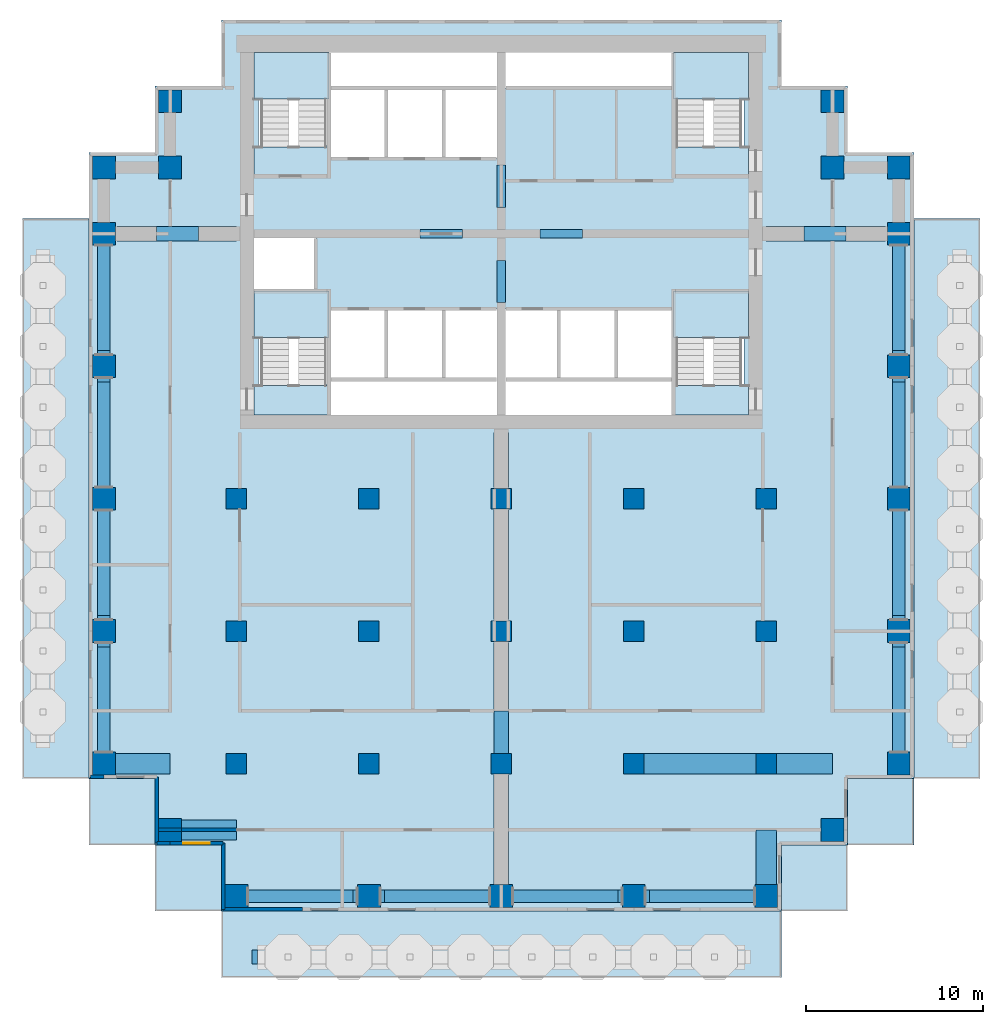
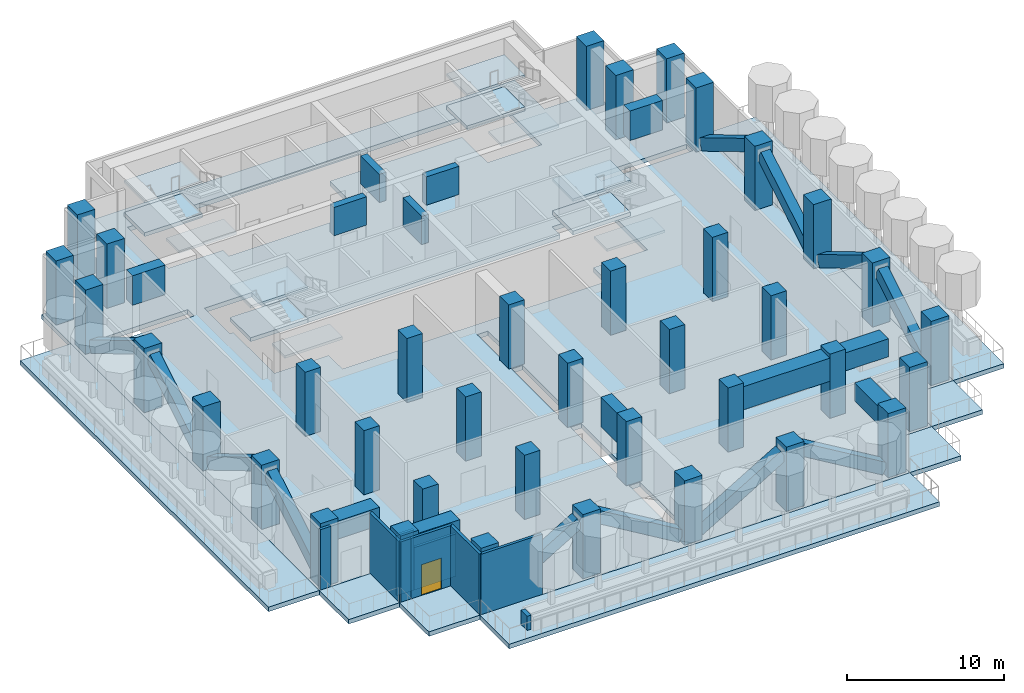
# One storey, part 1 of 9: 38 columns, 20 slabs, 12 beams, 12 members, 9 walls, 1 door, 1 opening, 4 elements without a shape of their own.
"""IFC4 building model written with IfcOpenShell, lengths in metres."""

from ifc_helpers import new_model, si_unit, direction, frame, frame_2d, origin, origin_2d, place, context, subcontext, project, spatial, polyline, rectangle, outline, extrude, material, layer, layer_set, material_profile, profile_set, type_object, element, fill, aggregate, save


model = new_model("IFC4")

# Units and contexts
model_context = context("Model", 3, precision=1e-05, world=origin(), true_north=direction((0.0, 1.0)))
body_context = subcontext(model_context, "Body", "Model", "MODEL_VIEW")
ifc_project = project(units=[si_unit("LENGTHUNIT", "METRE"), si_unit("AREAUNIT", "SQUARE_METRE"), si_unit("VOLUMEUNIT", "CUBIC_METRE"), si_unit("PLANEANGLEUNIT", "RADIAN"), si_unit("MASSUNIT", "GRAM", prefix="KILO")], contexts=[model_context])

# Site, building, storey
site_placement = place(None, origin())
site = spatial("IfcSite", under=ifc_project, at=site_placement, CompositionType="ELEMENT")
building_placement = place(site_placement, origin())
building = spatial("IfcBuilding", under=site, at=building_placement, Name="Pilkhan Gate Tower", CompositionType="ELEMENT")
storey_placement = place(building_placement, frame((0.0, 0.0, 102.199951171875)))
storey = spatial("IfcBuildingStorey", under=building, at=storey_placement, Name="L25", CompositionType="ELEMENT", Elevation=102.199951171875)

# Columns
ifc_material_1 = material(Name="Concrete C60/75", Category="concrete")
ifc_material_profile_1 = material_profile(ifc_material_1, rectangle(XDim=1.14990234375, YDim=1.14990234375, at=origin_2d()), Name="RC 1150x1150")
ifc_profile_set_1 = profile_set([ifc_material_profile_1], Name="Concrete C60/75")
column_type_1 = type_object("IfcColumnType", Name="Column C115 RC 1150x1150 C60/75", PredefinedType="COLUMN", material=ifc_profile_set_1)
for number, where, z_axis, x_axis, name in (
    (1, (60.0, 52.5, 0.0), (0.0, 0.0, 1.0), (1.0, 0.0, 0.0), "Column 7/D L25"),
    (2, (60.0, 60.0, 0.0), (0.0, 0.0, 1.0), (1.0, 0.0, 0.0), "Column 7/F L25"),
    (3, (60.0, 67.5, 0.0), (0.0, 0.0, 1.0), (1.0, 0.0, 0.0), "Column 7/H L25"),
    (4, (67.5, 52.5, 0.0), (0.0, 0.0, 1.0), (1.0, 0.0, 0.0), "Column 9/D L25"),
    (5, (67.5, 60.0, 0.0), (0.0, 0.0, 1.0), (1.0, 0.0, 0.0), "Column 9/F L25"),
    (6, (67.5, 67.5, 0.0), (0.0, 0.0, 1.0), (1.0, 0.0, 0.0), "Column 9/H L25"),
    (7, (75.0, 52.5, 0.0), (0.0, 0.0, 1.0), (1.0, 0.0, 0.0), "Column 11/D L25"),
    (8, (75.0, 60.0, 0.0), (0.0, 0.0, 1.0), (1.0, 0.0, 0.0), "Column 11/F L25"),
    (9, (75.0, 67.5, 0.0), (0.0, 0.0, 1.0), (1.0, 0.0, 0.0), "Column 11/H L25"),
    (10, (82.5, 52.5, 0.0), (0.0, 0.0, 1.0), (1.0, 0.0, 0.0), "Column 13/D L25"),
    (11, (82.5, 60.0, 0.0), (0.0, 0.0, 1.0), (1.0, 0.0, 0.0), "Column 13/F L25"),
    (12, (82.5, 67.5, 0.0), (0.0, 0.0, 1.0), (1.0, 0.0, 0.0), "Column 13/H L25"),
    (13, (90.0, 52.5, 0.0), (0.0, 0.0, 1.0), (1.0, 0.0, 0.0), "Column 15/D L25"),
    (14, (90.0, 60.0, 0.0), (0.0, 0.0, 1.0), (1.0, 0.0, 0.0), "Column 15/F L25"),
    (15, (90.0, 67.5, 0.0), (0.0, 0.0, 1.0), (1.0, 0.0, 0.0), "Column 15/H L25"),
):
    element("IfcColumn", number, at=place(storey_placement, frame(where, z_axis=z_axis, x_axis=x_axis)), inside=storey, type_object=column_type_1, Name=name, PredefinedType="COLUMN", context=body_context, shape_type="SweptSolid", body=[
        extrude(rectangle(XDim=1.14990234375, YDim=1.14990234375, at=origin_2d()), origin(), (0.0, 0.0, 1.0), 5.0),
    ])
ifc_material_profile_2 = material_profile(ifc_material_1, rectangle(XDim=1.300048828125, YDim=1.300048828125, at=origin_2d()), Name="RC 1300x1300")
ifc_profile_set_2 = profile_set([ifc_material_profile_2], Name="Concrete C60/75")
column_type_2 = type_object("IfcColumnType", Name="Column C130 RC 1300x1300 C60/75", PredefinedType="COLUMN", material=ifc_profile_set_2)
for number, where, z_axis, x_axis, name in (
    (16, (52.5, 52.5, 0.0), (0.0, 0.0, 1.0), (1.0, 0.0, 0.0), "Column 5/D L25"),
    (17, (52.5, 60.0, 0.0), (0.0, 0.0, 1.0), (1.0, 0.0, 0.0), "Column 5/F L25"),
    (18, (52.5, 67.5, 0.0), (0.0, 0.0, 1.0), (1.0, 0.0, 0.0), "Column 5/H L25"),
    (19, (52.5, 75.0, 0.0), (0.0, 0.0, 1.0), (1.0, 0.0, 0.0), "Column 5/K L25"),
    (20, (52.5, 82.5, 0.0), (0.0, 0.0, 1.0), (1.0, 0.0, 0.0), "Column 5/M L25"),
    (21, (52.5, 86.25, 0.0), (0.0, 0.0, 1.0), (1.0, 0.0, 0.0), "Column 5/N L25"),
    (22, (56.25, 48.75, 0.0), (0.0, 0.0, 1.0), (1.0, 0.0, 0.0), "Column 6/C L25"),
    (23, (56.25, 86.25, 0.0), (0.0, 0.0, 1.0), (1.0, 0.0, 0.0), "Column 6/N L25"),
    (24, (56.25, 90.0, 0.0), (0.0, 0.0, 1.0), (1.0, 0.0, 0.0), "Column 6/P L25"),
    (25, (60.0, 45.0, 0.0), (0.0, 0.0, 1.0), (1.0, 0.0, 0.0), "Column 7/B L25"),
    (26, (67.5, 45.0, 0.0), (0.0, 0.0, 1.0), (1.0, 0.0, 0.0), "Column 9/B L25"),
    (27, (75.0, 45.0, 0.0), (0.0, 0.0, 1.0), (1.0, 0.0, 0.0), "Column 11/B L25"),
    (28, (82.5, 45.0, 0.0), (0.0, 0.0, 1.0), (1.0, 0.0, 0.0), "Column 13/B L25"),
    (29, (90.0, 45.0, 0.0), (0.0, 0.0, 1.0), (1.0, 0.0, 0.0), "Column 15/B L25"),
    (30, (93.75, 48.75, 0.0), (0.0, 0.0, 1.0), (1.0, 0.0, 0.0), "Column 16/C L25"),
    (31, (93.75, 86.25, 0.0), (0.0, 0.0, 1.0), (1.0, 0.0, 0.0), "Column 16/N L25"),
    (32, (93.75, 90.0, 0.0), (0.0, 0.0, 1.0), (1.0, 0.0, 0.0), "Column 16/P L25"),
    (33, (97.5, 52.5, 0.0), (0.0, 0.0, 1.0), (1.0, 0.0, 0.0), "Column 17/D L25"),
    (34, (97.5, 60.0, 0.0), (0.0, 0.0, 1.0), (1.0, 0.0, 0.0), "Column 17/F L25"),
    (35, (97.5, 67.5, 0.0), (0.0, 0.0, 1.0), (1.0, 0.0, 0.0), "Column 17/H L25"),
    (36, (97.5, 75.0, 0.0), (0.0, 0.0, 1.0), (1.0, 0.0, 0.0), "Column 17/K L25"),
    (37, (97.5, 82.5, 0.0), (0.0, 0.0, 1.0), (1.0, 0.0, 0.0), "Column 17/M L25"),
    (38, (97.5, 86.25, 0.0), (0.0, 0.0, 1.0), (1.0, 0.0, 0.0), "Column 17/N L25"),
):
    element("IfcColumn", number, at=place(storey_placement, frame(where, z_axis=z_axis, x_axis=x_axis)), inside=storey, type_object=column_type_2, Name=name, PredefinedType="COLUMN", context=body_context, shape_type="SweptSolid", body=[
        extrude(rectangle(XDim=1.300048828125, YDim=1.300048828125, at=origin_2d()), origin(), (0.0, 0.0, 1.0), 5.0),
    ])

# Members
ifc_material_profile_3 = material_profile(ifc_material_1, rectangle(XDim=0.699951171875, YDim=0.89990234375, at=origin_2d()), Name="RC 700x900")
ifc_profile_set_3 = profile_set([ifc_material_profile_3], Name="Concrete C60/75")
member_type = type_object("IfcMemberType", Name="Belt diagonal BD1 RC 700x900 C60/75", PredefinedType="BRACE", material=ifc_profile_set_3)
for number, where, z_axis, x_axis, name in (
    (39, (89.35009765625, 45.0, 0.5), (-0.858722663062, 0.0, 0.512440618944), (0.0, -1.0, 0.0), "Belt diagonal 1 L25"),
    (40, (75.64990234375, 45.0, 0.5), (0.858722663062, 0.0, 0.512440618944), (0.0, 1.0, 0.0), "Belt diagonal 2 L25"),
    (41, (74.35009765625, 45.0, 0.5), (-0.858722663062, 0.0, 0.512440618944), (0.0, -1.0, 0.0), "Belt diagonal 3 L25"),
    (42, (60.64990234375, 45.0, 0.5), (0.858722663062, 0.0, 0.512440618944), (0.0, 1.0, 0.0), "Belt diagonal 4 L25"),
    (43, (52.5, 53.14990234375, 0.5), (0.0, 0.858722663062, 0.512440618944), (-1.0, 0.0, 0.0), "Belt diagonal 5 L25"),
    (44, (52.5, 66.85009765625, 0.5), (0.0, -0.858722663062, 0.512440618944), (1.0, 0.0, 0.0), "Belt diagonal 6 L25"),
    (45, (52.5, 68.14990234375, 0.5), (0.0, 0.858722663062, 0.512440618944), (-1.0, 0.0, 0.0), "Belt diagonal 7 L25"),
    (46, (52.5, 81.85009765625, 0.5), (0.0, -0.858722663062, 0.512440618944), (1.0, 0.0, 0.0), "Belt diagonal 8 L25"),
    (47, (97.5, 81.85009765625, 0.5), (0.0, -0.858722663062, 0.512440618944), (1.0, 0.0, 0.0), "Belt diagonal 15 L25"),
    (48, (97.5, 68.14990234375, 0.5), (0.0, 0.858722663062, 0.512440618944), (-1.0, 0.0, 0.0), "Belt diagonal 16 L25"),
    (49, (97.5, 66.85009765625, 0.5), (0.0, -0.858722663062, 0.512440618944), (1.0, 0.0, 0.0), "Belt diagonal 17 L25"),
    (50, (97.5, 53.14990234375, 0.5), (0.0, 0.858722663062, 0.512440618944), (-1.0, 0.0, 0.0), "Belt diagonal 18 L25"),
):
    element("IfcMember", number, at=place(storey_placement, frame(where, z_axis=z_axis, x_axis=x_axis)), inside=storey, type_object=member_type, Name=name, PredefinedType="BRACE", context=body_context, shape_type="SweptSolid", body=[
        extrude(rectangle(XDim=0.699951171875, YDim=0.89990234375, at=origin_2d()), origin(), (0.0, 0.0, 1.0), 7.22021484375),
    ])

# Beams
ifc_material_profile_4 = material_profile(ifc_material_1, rectangle(XDim=0.5, YDim=2.199951171875, at=origin_2d()), Name="RC 500x2200")
ifc_profile_set_4 = profile_set([ifc_material_profile_4], Name="Concrete C60/75")
beam_type_1 = type_object("IfcBeamType", Name="Coupling beam CB220 RC 500x2200 C60/75", PredefinedType="LINTEL", material=ifc_profile_set_4)
for number, where, z_axis, x_axis, name in (
    (51, (70.39990234375, 82.5, 3.60009765625), (1.0, 0.0, 0.0), (0.0, 1.0, 0.0), "Coupling beam 1 L25"),
    (52, (77.199951171875, 82.5, 3.60009765625), (1.0, 0.0, 0.0), (0.0, 1.0, 0.0), "Coupling beam 2 L25"),
):
    element("IfcBeam", number, at=place(storey_placement, frame(where, z_axis=z_axis, x_axis=x_axis)), inside=storey, type_object=beam_type_1, Name=name, PredefinedType="LINTEL", context=body_context, shape_type="SweptSolid", body=[
        extrude(rectangle(XDim=0.5, YDim=2.199951171875, at=origin_2d()), origin(), (0.0, 0.0, 1.0), 2.400146484375),
    ])
for number, where, z_axis, x_axis, name in (
    (53, (75.0, 78.60009765625, 3.60009765625), (0.0, 1.0, 0.0), (-1.0, 0.0, 0.0), "Coupling beam 3 L25"),
    (54, (75.0, 84.0, 3.60009765625), (0.0, 1.0, 0.0), (-1.0, 0.0, 0.0), "Coupling beam 4 L25"),
):
    element("IfcBeam", number, at=place(storey_placement, frame(where, z_axis=z_axis, x_axis=x_axis)), inside=storey, type_object=beam_type_1, Name=name, PredefinedType="LINTEL", context=body_context, shape_type="SweptSolid", body=[
        extrude(rectangle(XDim=0.5, YDim=2.199951171875, at=origin_2d()), origin(), (0.0, 0.0, 1.0), 2.39990234375),
    ])
ifc_material_profile_5 = material_profile(ifc_material_1, rectangle(XDim=0.800048828125, YDim=2.300048828125, at=origin_2d()), Name="RC 800x2300")
ifc_profile_set_5 = profile_set([ifc_material_profile_5], Name="Concrete C60/75")
beam_type_2 = type_object("IfcBeamType", Name="Coupling beam CB230 RC 800x2300 C60/75", PredefinedType="LINTEL", material=ifc_profile_set_5)
for number, where, z_axis, x_axis, name in (
    (55, (92.125, 82.5, 3.550048828125), (1.0, 0.0, 0.0), (0.0, 1.0, 0.0), "Outrigger coupling beam L25"),
    (56, (55.47509765625, 82.5, 3.550048828125), (1.0, 0.0, 0.0), (0.0, 1.0, 0.0), "Outrigger coupling beam L25"),
):
    element("IfcBeam", number, at=place(storey_placement, frame(where, z_axis=z_axis, x_axis=x_axis)), inside=storey, type_object=beam_type_2, Name=name, PredefinedType="LINTEL", context=body_context, shape_type="SweptSolid", body=[
        extrude(rectangle(XDim=0.800048828125, YDim=2.300048828125, at=origin_2d()), origin(), (0.0, 0.0, 1.0), 2.39990234375),
    ])
beam_1_placement = place(storey_placement, frame((75.0, 53.074951171875, 3.550048828125), z_axis=(0.0, 1.0, 0.0), x_axis=(-1.0, 0.0, 0.0)))
element("IfcBeam", 57, at=beam_1_placement, inside=storey, type_object=beam_type_2, Name="Outrigger coupling beam L25", PredefinedType="LINTEL", context=body_context, shape_type="SweptSolid", body=[
    extrude(rectangle(XDim=0.800048828125, YDim=2.300048828125, at=origin_2d()), origin(), (0.0, 0.0, 1.0), 2.400146484375),
])
ifc_material_2 = material(Name="Concrete C70/85", Category="concrete")
ifc_material_profile_6 = material_profile(ifc_material_2, rectangle(XDim=1.14990234375, YDim=1.800048828125, at=origin_2d()), Name="RC 1150x1800")
ifc_profile_set_6 = profile_set([ifc_material_profile_6], Name="Concrete C70/85")
beam_type_3 = type_object("IfcBeamType", Name="Transfer girder back-span TG3B18 RC 1150x1800 C70/85", PredefinedType="BEAM", material=ifc_profile_set_6)
beam_2_placement = place(storey_placement, frame((89.47509765625, 52.5, 3.800048828125), z_axis=(-1.0, 0.0, 0.0), x_axis=(0.0, -1.0, 0.0)))
element("IfcBeam", 58, at=beam_2_placement, inside=storey, type_object=beam_type_3, Name="Transfer girder back-span 4 L25", PredefinedType="BEAM", context=body_context, shape_type="SweptSolid", body=[
    extrude(rectangle(XDim=1.14990234375, YDim=1.800048828125, at=origin_2d()), origin(), (0.0, 0.0, 1.0), 6.4501953125),
])
ifc_material_profile_7 = material_profile(ifc_material_2, rectangle(XDim=1.14990234375, YDim=1.39990234375, at=origin_2d()), Name="RC 1150x1400")
ifc_profile_set_7 = profile_set([ifc_material_profile_7], Name="Concrete C70/85")
beam_type_4 = type_object("IfcBeamType", Name="Transfer girder tip TG3T14 RC 1150x1400 C70/85", PredefinedType="BEAM", material=ifc_profile_set_7)
for number, where, z_axis, x_axis, name in (
    (59, (56.25, 52.5, 4.0), (-1.0, 0.0, 0.0), (0.0, -1.0, 0.0), "Transfer girder 1 L25"),
    (60, (60.0, 48.75, 4.0), (-1.0, 0.0, 0.0), (0.0, -1.0, 0.0), "Transfer girder 2 L25"),
    (61, (90.0, 48.75, 4.0), (0.0, -1.0, 0.0), (1.0, 0.0, 0.0), "Transfer girder 3 L25"),
):
    element("IfcBeam", number, at=place(storey_placement, frame(where, z_axis=z_axis, x_axis=x_axis)), inside=storey, type_object=beam_type_4, Name=name, PredefinedType="BEAM", context=body_context, shape_type="SweptSolid", body=[
        extrude(rectangle(XDim=1.14990234375, YDim=1.39990234375, at=origin_2d()), origin(), (0.0, 0.0, 1.0), 3.10009765625),
    ])
beam_3_placement = place(storey_placement, frame((93.75, 52.5, 4.0), z_axis=(-1.0, 0.0, 0.0), x_axis=(0.0, -1.0, 0.0)))
element("IfcBeam", 62, at=beam_3_placement, inside=storey, type_object=beam_type_4, Name="Transfer girder 4 L25", PredefinedType="BEAM", context=body_context, shape_type="SweptSolid", body=[
    extrude(rectangle(XDim=1.14990234375, YDim=1.39990234375, at=origin_2d()), origin(), (0.0, 0.0, 1.0), 3.175048828125),
])

# Slab
ifc_material_3 = material(Name="Concrete C40/50", Category="concrete")
ifc_layer_1 = layer(ifc_material_3, 0.35009765625)
ifc_layer_set_1 = layer_set([ifc_layer_1], Name="Flat plate slab FP350")
slab_type_1 = type_object("IfcSlabType", Name="Flat plate slab FP350", PredefinedType="FLOOR", material=ifc_layer_set_1)
slab_1_placement = place(storey_placement, frame((0.0, 0.0, -0.349853515625)))
element("IfcSlab", 63, at=slab_1_placement, inside=storey, type_object=slab_type_1, Name="Floor slab L25", PredefinedType="FLOOR", context=body_context, shape_type="SweptSolid", body=[
    extrude(outline(polyline([(94.60009765625, 47.89990234375), (90.85009765625, 47.89990234375), (90.85009765625, 44.14990234375), (59.14990234375, 44.14990234375), (59.14990234375, 47.89990234375), (55.39990234375, 47.89990234375), (55.39990234375, 51.64990234375), (51.64990234375, 51.64990234375), (51.64990234375, 87.10009765625), (55.39990234375, 87.10009765625), (55.39990234375, 90.85009765625), (59.14990234375, 90.85009765625), (59.14990234375, 94.60009765625), (90.85009765625, 94.60009765625), (90.85009765625, 90.85009765625), (94.60009765625, 90.85009765625), (94.60009765625, 87.10009765625), (98.35009765625, 87.10009765625), (98.35009765625, 51.64990234375), (94.60009765625, 51.64990234375), (94.60009765625, 47.89990234375)]), holes=[polyline([(90.0, 82.89990234375), (90.0, 82.10009765625), (96.75, 82.10009765625), (96.75, 82.89990234375), (90.0, 82.89990234375)]), polyline([(75.0, 72.25), (84.75, 72.25), (84.75, 74.0), (88.75, 74.0), (88.75, 79.25), (84.75, 79.25), (84.75, 78.25), (81.5, 78.25), (78.25, 78.25), (75.0, 78.25), (71.75, 78.25), (68.5, 78.25), (65.25, 78.25), (65.25, 79.25), (64.5, 79.25), (64.5, 82.5), (61.25, 82.5), (61.0, 82.5), (61.0, 79.25), (61.25, 79.25), (61.25, 74.0), (65.25, 74.0), (65.25, 72.25), (75.0, 72.25)]), polyline([(68.5, 86.75), (71.75, 86.75), (75.0, 86.75), (75.0, 90.75), (84.75, 90.75), (84.75, 87.5), (88.75, 87.5), (88.75, 92.75), (84.75, 92.75), (75.0, 92.75), (65.25, 92.75), (61.25, 92.75), (61.25, 87.5), (65.25, 87.5), (65.25, 86.75), (68.5, 86.75)]), polyline([(74.60009765625, 51.85009765625), (74.60009765625, 45.64990234375), (75.39990234375, 45.64990234375), (75.39990234375, 51.85009765625), (74.60009765625, 51.85009765625)]), polyline([(75.39990234375, 59.35009765625), (74.60009765625, 59.35009765625), (74.60009765625, 53.14990234375), (75.39990234375, 53.14990234375), (75.39990234375, 59.35009765625)]), polyline([(75.39990234375, 66.85009765625), (74.60009765625, 66.85009765625), (74.60009765625, 60.64990234375), (75.39990234375, 60.64990234375), (75.39990234375, 66.85009765625)]), polyline([(74.60009765625, 71.25), (74.60009765625, 68.14990234375), (75.39990234375, 68.14990234375), (75.39990234375, 71.25), (74.60009765625, 71.25)]), polyline([(53.25, 82.89990234375), (53.25, 82.10009765625), (60.0, 82.10009765625), (60.0, 82.89990234375), (53.25, 82.89990234375)])]), origin(), (0.0, 0.0, 1.0), 0.349853515625),
])

# Stair, slabs
ifc_material_4 = material(Name="Concrete C40/50 precast", Category="concrete")
stair_type_1 = type_object("IfcStairType", Name="Stair ST1 139x340", PredefinedType="HALF_TURN_STAIR", material=ifc_material_4)
stair_1_placement = place(storey_placement, origin())
stair_1 = element("IfcStair", 64, at=stair_1_placement, inside=storey, type_object=stair_type_1, Name="Stair ST1 L25", PredefinedType="HALF_TURN_STAIR")
ifc_layer_2 = layer(ifc_material_3, 0.199951171875)
ifc_layer_set_2 = layer_set([ifc_layer_2], Name="Stair landing SL200")
slab_type_2 = type_object("IfcSlabType", Name="Stair landing SL200", PredefinedType="LANDING", material=ifc_layer_set_2)
slab_2_placement = place(storey_placement, frame((0.0, 0.0, 0.949951171875)))
slab_2 = element("IfcSlab", 65, at=slab_2_placement, type_object=slab_type_2, Name="ST1 landing 1", PredefinedType="LANDING", context=body_context, shape_type="SweptSolid", body=[
    extrude(outline(polyline([(89.0, 76.6201171875), (89.0, 79.25), (84.75, 79.25), (84.75, 76.6201171875), (89.0, 76.6201171875)])), origin(), (0.0, 0.0, 1.0), 0.300048828125),
])
slab_3_placement = place(storey_placement, frame((0.0, 0.0, 2.300048828125)))
slab_3 = element("IfcSlab", 66, at=slab_3_placement, type_object=slab_type_2, Name="ST1 landing 2", PredefinedType="LANDING", context=body_context, shape_type="SweptSolid", body=[
    extrude(outline(polyline([(89.0, 72.25), (89.0, 73.89990234375), (84.75, 73.89990234375), (84.75, 72.25), (89.0, 72.25)])), origin(), (0.0, 0.0, 1.0), 0.199951171875),
])
slab_4_placement = place(storey_placement, frame((0.0, 0.0, 3.550048828125)))
slab_4 = element("IfcSlab", 67, at=slab_4_placement, type_object=slab_type_2, Name="ST1 landing 3", PredefinedType="LANDING", context=body_context, shape_type="SweptSolid", body=[
    extrude(outline(polyline([(89.0, 76.6201171875), (89.0, 79.25), (84.75, 79.25), (84.75, 76.6201171875), (89.0, 76.6201171875)])), origin(), (0.0, 0.0, 1.0), 0.199951171875),
])
aggregate(stair_1, [slab_2, slab_3, slab_4])

stair_type_2 = type_object("IfcStairType", Name="Stair ST2 139x340", PredefinedType="HALF_TURN_STAIR", material=ifc_material_4)
stair_2_placement = place(storey_placement, origin())
stair_2 = element("IfcStair", 68, at=stair_2_placement, inside=storey, type_object=stair_type_2, Name="Stair ST2 L25", PredefinedType="HALF_TURN_STAIR")
slab_5_placement = place(storey_placement, frame((0.0, 0.0, 0.949951171875)))
slab_5 = element("IfcSlab", 69, at=slab_5_placement, type_object=slab_type_2, Name="ST2 landing 1", PredefinedType="LANDING", context=body_context, shape_type="SweptSolid", body=[
    extrude(outline(polyline([(65.25, 76.6201171875), (65.25, 79.25), (61.0, 79.25), (61.0, 76.6201171875), (65.25, 76.6201171875)])), origin(), (0.0, 0.0, 1.0), 0.300048828125),
])
slab_6_placement = place(storey_placement, frame((0.0, 0.0, 2.300048828125)))
slab_6 = element("IfcSlab", 70, at=slab_6_placement, type_object=slab_type_2, Name="ST2 landing 2", PredefinedType="LANDING", context=body_context, shape_type="SweptSolid", body=[
    extrude(outline(polyline([(65.25, 72.25), (65.25, 73.89990234375), (61.0, 73.89990234375), (61.0, 72.25), (65.25, 72.25)])), origin(), (0.0, 0.0, 1.0), 0.199951171875),
])
slab_7_placement = place(storey_placement, frame((0.0, 0.0, 3.550048828125)))
slab_7 = element("IfcSlab", 71, at=slab_7_placement, type_object=slab_type_2, Name="ST2 landing 3", PredefinedType="LANDING", context=body_context, shape_type="SweptSolid", body=[
    extrude(outline(polyline([(65.25, 76.6201171875), (65.25, 79.25), (61.0, 79.25), (61.0, 76.6201171875), (65.25, 76.6201171875)])), origin(), (0.0, 0.0, 1.0), 0.199951171875),
])
aggregate(stair_2, [slab_5, slab_6, slab_7])

stair_type_3 = type_object("IfcStairType", Name="Stair ST3 139x340", PredefinedType="HALF_TURN_STAIR", material=ifc_material_4)
stair_3_placement = place(storey_placement, origin())
stair_3 = element("IfcStair", 72, at=stair_3_placement, inside=storey, type_object=stair_type_3, Name="Stair ST3 L25", PredefinedType="HALF_TURN_STAIR")
slab_8_placement = place(storey_placement, frame((0.0, 0.0, 0.949951171875)))
slab_8 = element("IfcSlab", 73, at=slab_8_placement, type_object=slab_type_2, Name="ST3 landing 1", PredefinedType="LANDING", context=body_context, shape_type="SweptSolid", body=[
    extrude(outline(polyline([(65.25, 90.1201171875), (65.25, 92.75), (61.0, 92.75), (61.0, 90.1201171875), (65.25, 90.1201171875)])), origin(), (0.0, 0.0, 1.0), 0.300048828125),
])
slab_9_placement = place(storey_placement, frame((0.0, 0.0, 2.300048828125)))
slab_9 = element("IfcSlab", 74, at=slab_9_placement, type_object=slab_type_2, Name="ST3 landing 2", PredefinedType="LANDING", context=body_context, shape_type="SweptSolid", body=[
    extrude(outline(polyline([(65.25, 85.75), (65.25, 87.39990234375), (61.0, 87.39990234375), (61.0, 85.75), (65.25, 85.75)])), origin(), (0.0, 0.0, 1.0), 0.199951171875),
])
slab_10_placement = place(storey_placement, frame((0.0, 0.0, 3.550048828125)))
slab_10 = element("IfcSlab", 75, at=slab_10_placement, type_object=slab_type_2, Name="ST3 landing 3", PredefinedType="LANDING", context=body_context, shape_type="SweptSolid", body=[
    extrude(outline(polyline([(65.25, 90.1201171875), (65.25, 92.75), (61.0, 92.75), (61.0, 90.1201171875), (65.25, 90.1201171875)])), origin(), (0.0, 0.0, 1.0), 0.199951171875),
])
aggregate(stair_3, [slab_8, slab_9, slab_10])

stair_type_4 = type_object("IfcStairType", Name="Stair ST4 139x340", PredefinedType="HALF_TURN_STAIR", material=ifc_material_4)
stair_4_placement = place(storey_placement, origin())
stair_4 = element("IfcStair", 76, at=stair_4_placement, inside=storey, type_object=stair_type_4, Name="Stair ST4 L25", PredefinedType="HALF_TURN_STAIR")
slab_11_placement = place(storey_placement, frame((0.0, 0.0, 0.949951171875)))
slab_11 = element("IfcSlab", 77, at=slab_11_placement, type_object=slab_type_2, Name="ST4 landing 1", PredefinedType="LANDING", context=body_context, shape_type="SweptSolid", body=[
    extrude(outline(polyline([(89.0, 90.1201171875), (89.0, 92.75), (84.75, 92.75), (84.75, 90.1201171875), (89.0, 90.1201171875)])), origin(), (0.0, 0.0, 1.0), 0.300048828125),
])
slab_12_placement = place(storey_placement, frame((0.0, 0.0, 2.300048828125)))
slab_12 = element("IfcSlab", 78, at=slab_12_placement, type_object=slab_type_2, Name="ST4 landing 2", PredefinedType="LANDING", context=body_context, shape_type="SweptSolid", body=[
    extrude(outline(polyline([(89.0, 85.75), (89.0, 87.39990234375), (84.75, 87.39990234375), (84.75, 85.75), (89.0, 85.75)])), origin(), (0.0, 0.0, 1.0), 0.199951171875),
])
slab_13_placement = place(storey_placement, frame((0.0, 0.0, 3.550048828125)))
slab_13 = element("IfcSlab", 79, at=slab_13_placement, type_object=slab_type_2, Name="ST4 landing 3", PredefinedType="LANDING", context=body_context, shape_type="SweptSolid", body=[
    extrude(outline(polyline([(89.0, 90.1201171875), (89.0, 92.75), (84.75, 92.75), (84.75, 90.1201171875), (89.0, 90.1201171875)])), origin(), (0.0, 0.0, 1.0), 0.199951171875),
])
aggregate(stair_4, [slab_11, slab_12, slab_13])

# Slabs
ifc_layer_3 = layer(ifc_material_1, 0.35009765625)
ifc_layer_set_3 = layer_set([ifc_layer_3], Name="Terrace slab TS350")
slab_type_3 = type_object("IfcSlabType", Name="Terrace slab TS350", PredefinedType="FLOOR", material=ifc_layer_set_3)
slab_14_placement = place(storey_placement, frame((0.0, 0.0, -0.349853515625)))
element("IfcSlab", 80, at=slab_14_placement, inside=storey, type_object=slab_type_3, Name="Terrace L25", PredefinedType="FLOOR", context=body_context, shape_type="SweptSolid", body=[
    extrude(outline(polyline([(98.35009765625, 83.35009765625), (102.10009765625, 83.35009765625), (102.10009765625, 51.64990234375), (98.35009765625, 51.64990234375), (98.35009765625, 83.35009765625)])), origin(), (0.0, 0.0, 1.0), 0.349853515625),
])
slab_15_placement = place(storey_placement, frame((0.0, 0.0, -0.349853515625)))
element("IfcSlab", 81, at=slab_15_placement, inside=storey, type_object=slab_type_3, Name="Terrace L25", PredefinedType="FLOOR", context=body_context, shape_type="SweptSolid", body=[
    extrude(outline(polyline([(94.60009765625, 47.89990234375), (94.60009765625, 51.64990234375), (98.35009765625, 51.64990234375), (98.35009765625, 47.89990234375), (94.60009765625, 47.89990234375)])), origin(), (0.0, 0.0, 1.0), 0.349853515625),
])
slab_16_placement = place(storey_placement, frame((0.0, 0.0, -0.349853515625)))
element("IfcSlab", 82, at=slab_16_placement, inside=storey, type_object=slab_type_3, Name="Terrace L25", PredefinedType="FLOOR", context=body_context, shape_type="SweptSolid", body=[
    extrude(outline(polyline([(90.85009765625, 44.14990234375), (90.85009765625, 47.89990234375), (94.60009765625, 47.89990234375), (94.60009765625, 44.14990234375), (90.85009765625, 44.14990234375)])), origin(), (0.0, 0.0, 1.0), 0.349853515625),
])
slab_17_placement = place(storey_placement, frame((0.0, 0.0, -0.349853515625)))
element("IfcSlab", 83, at=slab_17_placement, inside=storey, type_object=slab_type_3, Name="Terrace L25", PredefinedType="FLOOR", context=body_context, shape_type="SweptSolid", body=[
    extrude(outline(polyline([(59.14990234375, 40.39990234375), (59.14990234375, 44.14990234375), (90.85009765625, 44.14990234375), (90.85009765625, 40.39990234375), (59.14990234375, 40.39990234375)])), origin(), (0.0, 0.0, 1.0), 0.349853515625),
])
slab_18_placement = place(storey_placement, frame((0.0, 0.0, -0.349853515625)))
element("IfcSlab", 84, at=slab_18_placement, inside=storey, type_object=slab_type_3, Name="Terrace L25", PredefinedType="FLOOR", context=body_context, shape_type="SweptSolid", body=[
    extrude(outline(polyline([(55.39990234375, 47.89990234375), (59.14990234375, 47.89990234375), (59.14990234375, 44.14990234375), (55.39990234375, 44.14990234375), (55.39990234375, 47.89990234375)])), origin(), (0.0, 0.0, 1.0), 0.349853515625),
])
slab_19_placement = place(storey_placement, frame((0.0, 0.0, -0.349853515625)))
element("IfcSlab", 85, at=slab_19_placement, inside=storey, type_object=slab_type_3, Name="Terrace L25", PredefinedType="FLOOR", context=body_context, shape_type="SweptSolid", body=[
    extrude(outline(polyline([(51.64990234375, 51.64990234375), (55.39990234375, 51.64990234375), (55.39990234375, 47.89990234375), (51.64990234375, 47.89990234375), (51.64990234375, 51.64990234375)])), origin(), (0.0, 0.0, 1.0), 0.349853515625),
])
slab_20_placement = place(storey_placement, frame((0.0, 0.0, -0.349853515625)))
element("IfcSlab", 86, at=slab_20_placement, inside=storey, type_object=slab_type_3, Name="Terrace L25", PredefinedType="FLOOR", context=body_context, shape_type="SweptSolid", body=[
    extrude(outline(polyline([(47.89990234375, 83.35009765625), (51.64990234375, 83.35009765625), (51.64990234375, 51.64990234375), (47.89990234375, 51.64990234375), (47.89990234375, 83.35009765625)])), origin(), (0.0, 0.0, 1.0), 0.349853515625),
])

# Walls
ifc_material_5 = material(Name="Dense blockwork", Category="masonry")
ifc_layer_4 = layer(ifc_material_5, 0.199951171875)
ifc_layer_set_4 = layer_set([ifc_layer_4], Name="Lobby wall LW200")
wall_type_1 = type_object("IfcWallType", Name="Lobby wall LW200", PredefinedType="PARTITIONING", material=ifc_layer_set_4)
wall_1_placement = place(storey_placement, frame((55.610107421875, 48.75, 0.0), z_axis=(0.0, 0.0, 1.0), x_axis=(1.0, 0.0, 0.0)))
element("IfcWall", 87, at=wall_1_placement, inside=storey, type_object=wall_type_1, Name="Partition L25", PredefinedType="PARTITIONING", context=body_context, shape_type="SweptSolid", body=[
    extrude(rectangle(XDim=1.288818359375, YDim=0.199951171875, at=frame_2d((0.64453125, 0.0))), origin(), (0.0, 0.0, 1.0), 4.699951171875),
])
wall_2_placement = place(storey_placement, frame((56.89892578125, 48.75, 0.0), z_axis=(0.0, 0.0, 1.0), x_axis=(1.0, 0.0, 0.0)))
element("IfcWall", 88, at=wall_2_placement, inside=storey, type_object=wall_type_1, Name="Partition L25", PredefinedType="PARTITIONING", context=body_context, shape_type="SweptSolid", body=[
    extrude(rectangle(XDim=3.10205078125, YDim=0.199951171875, at=frame_2d((1.551025390625, 0.0))), origin(), (0.0, 0.0, 1.0), 3.300048828125),
])
ifc_material_6 = material(Name="Pale anodised aluminium cladding", Category="aluminium")
ifc_layer_5 = layer(ifc_material_6, 0.199951171875)
ifc_layer_set_5 = layer_set([ifc_layer_5], Name="Plant screen wall PS200")
wall_type_2 = type_object("IfcWallType", Name="Plant screen wall PS200", PredefinedType="SOLIDWALL", material=ifc_layer_set_5)
wall_3_placement = place(storey_placement, frame((51.75, 51.75, 0.0), z_axis=(0.0, 0.0, 1.0), x_axis=(1.0, 0.0, 0.0)))
element("IfcWall", 89, at=wall_3_placement, inside=storey, type_object=wall_type_2, Name="Plant screen wall L25 S", PredefinedType="SOLIDWALL", context=body_context, shape_type="SweptSolid", body=[
    extrude(rectangle(XDim=0.75, YDim=0.199951171875, at=frame_2d((0.375, 0.0))), origin(), (0.0, 0.0, 1.0), 4.699951171875),
])
wall_4_placement = place(storey_placement, frame((55.5, 48.0, 0.0), z_axis=(0.0, 0.0, 1.0), x_axis=(0.0, 1.0, 0.0)))
element("IfcWall", 90, at=wall_4_placement, inside=storey, type_object=wall_type_2, Name="Plant screen wall L25 W", PredefinedType="SOLIDWALL", context=body_context, shape_type="SweptSolid", body=[
    extrude(rectangle(XDim=3.75, YDim=0.199951171875, at=frame_2d((1.875, 0.0))), origin(), (0.0, 0.0, 1.0), 4.699951171875),
])
wall_5_placement = place(storey_placement, frame((55.5, 48.0, 0.0), z_axis=(0.0, 0.0, 1.0), x_axis=(1.0, 0.0, 0.0)))
element("IfcWall", 91, at=wall_5_placement, inside=storey, type_object=wall_type_2, Name="Plant screen wall L25 S", PredefinedType="SOLIDWALL", context=body_context, shape_type="SweptSolid", body=[
    extrude(rectangle(XDim=0.75, YDim=0.199951171875, at=frame_2d((0.375, 0.0))), origin(), (0.0, 0.0, 1.0), 4.699951171875),
])

# Wall, opening, door
wall_6_placement = place(storey_placement, frame((59.25, 48.0, 0.0), z_axis=(0.0, 0.0, 1.0), x_axis=(-1.0, 0.0, 0.0)))
wall_6 = element("IfcWall", 92, at=wall_6_placement, inside=storey, type_object=wall_type_2, Name="Infill wall L25 S", PredefinedType="SOLIDWALL", context=body_context, shape_type="SweptSolid", body=[
    extrude(rectangle(XDim=3.0, YDim=0.199951171875, at=frame_2d((1.5, 0.0))), origin(), (0.0, 0.0, 1.0), 4.699951171875),
])
opening_placement = place(wall_6_placement, frame((0.75, 0.0, 0.0)))
opening = element("IfcOpeningElement", 93, at=opening_placement, cuts=wall_6, Name="Opening D5", PredefinedType="OPENING", context=body_context, shape_type="SweptSolid", body=[
    extrude(rectangle(XDim=1.5, YDim=2.39990234375, at=frame_2d((0.75, 1.199951171875))), frame((0.0, 0.10986328125, 0.0), z_axis=(0.0, -1.0, 0.0), x_axis=(1.0, 0.0, 0.0)), (0.0, 0.0, 1.0), 0.219970703125),
])
ifc_material_7 = material(Name="Pale anodised aluminium, clear glazing", Category="aluminium")
door_type = type_object("IfcDoorType", Name="Terrace door D5 1500x2400", OperationType="DOUBLE_DOOR_SINGLE_SWING", PredefinedType="DOOR", material=ifc_material_7)
door_placement = place(opening_placement, origin())
door = element("IfcDoor", 94, at=door_placement, inside=storey, type_object=door_type, Name="Terrace door L25", OperationType="DOUBLE_DOOR_SINGLE_SWING", OverallHeight=2.39990234375, OverallWidth=1.5, PredefinedType="DOOR", context=body_context, shape_type="SweptSolid", body=[
    extrude(rectangle(XDim=1.5, YDim=2.39990234375, at=frame_2d((0.75, 1.199951171875))), frame((0.0, 0.02490234375, 0.0), z_axis=(0.0, -1.0, 0.0), x_axis=(1.0, 0.0, 0.0)), (0.0, 0.0, 1.0), 0.050048828125),
])
fill(opening, door)

# Walls
wall_7_placement = place(storey_placement, frame((59.25, 44.25, 0.0), z_axis=(0.0, 0.0, 1.0), x_axis=(0.0, 1.0, 0.0)))
element("IfcWall", 95, at=wall_7_placement, inside=storey, type_object=wall_type_2, Name="Plant screen wall L25 W", PredefinedType="SOLIDWALL", context=body_context, shape_type="SweptSolid", body=[
    extrude(rectangle(XDim=3.75, YDim=0.199951171875, at=frame_2d((1.875, 0.0))), origin(), (0.0, 0.0, 1.0), 4.699951171875),
])
wall_8_placement = place(storey_placement, frame((59.25, 44.25, 0.0), z_axis=(0.0, 0.0, 1.0), x_axis=(1.0, 0.0, 0.0)))
element("IfcWall", 96, at=wall_8_placement, inside=storey, type_object=wall_type_2, Name="Plant screen wall L25 S", PredefinedType="SOLIDWALL", context=body_context, shape_type="SweptSolid", body=[
    extrude(rectangle(XDim=4.5, YDim=0.199951171875, at=frame_2d((2.25, 0.0))), origin(), (0.0, 0.0, 1.0), 4.699951171875),
])
ifc_layer_6 = layer(ifc_material_3, 0.300048828125)
ifc_layer_set_6 = layer_set([ifc_layer_6], Name="Terrace planter TP800")
wall_type_3 = type_object("IfcWallType", Name="Terrace planter TP800", PredefinedType="USERDEFINED", material=ifc_layer_set_6)
wall_9_placement = place(storey_placement, frame((61.050048828125, 41.949951171875, 0.0), z_axis=(0.0, 0.0, 1.0), x_axis=(0.0, -1.0, 0.0)))
element("IfcWall", 97, at=wall_9_placement, inside=storey, type_object=wall_type_3, Name="Terrace planter L25", ObjectType="TERRACE PLANTER", PredefinedType="USERDEFINED", context=body_context, shape_type="SweptSolid", body=[
    extrude(rectangle(XDim=0.800048828125, YDim=0.300048828125, at=frame_2d((0.39990234375, 0.0))), origin(), (0.0, 0.0, 1.0), 1.10009765625),
])

save(model, "model.ifc")
